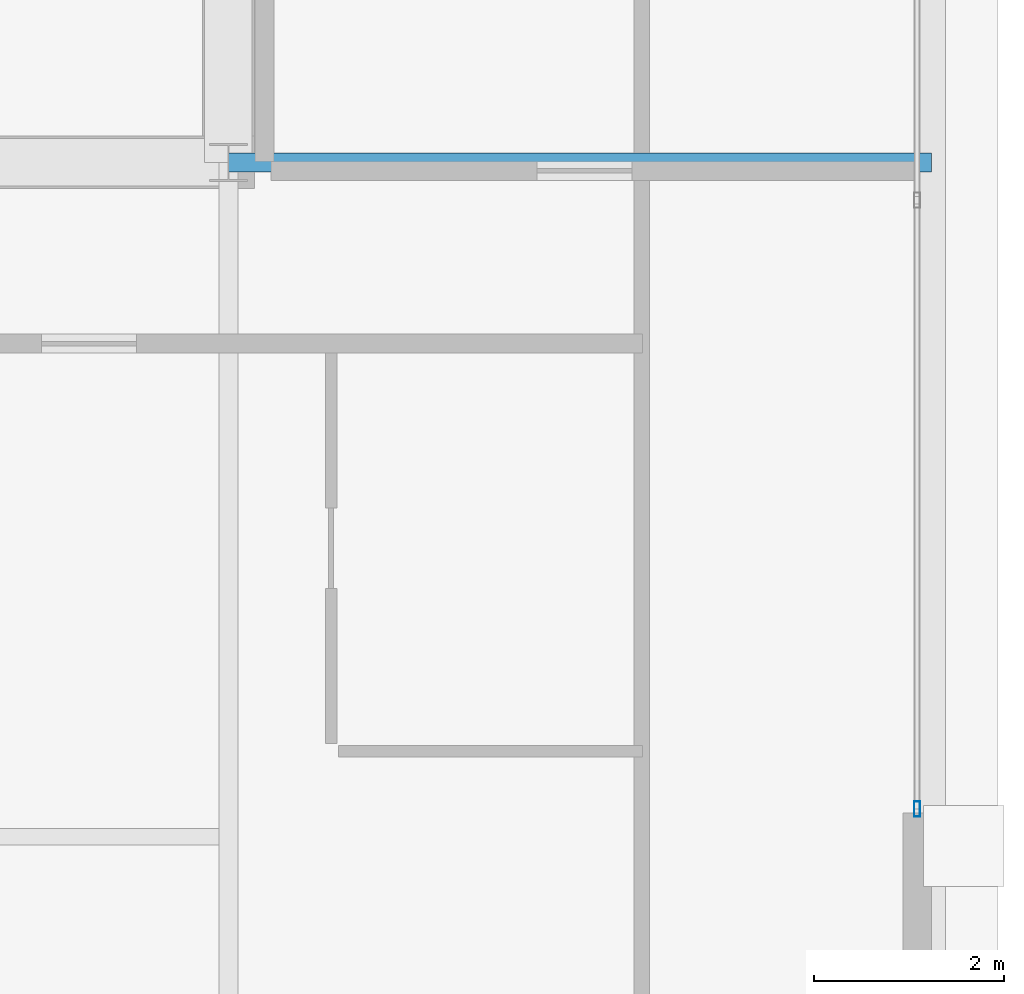
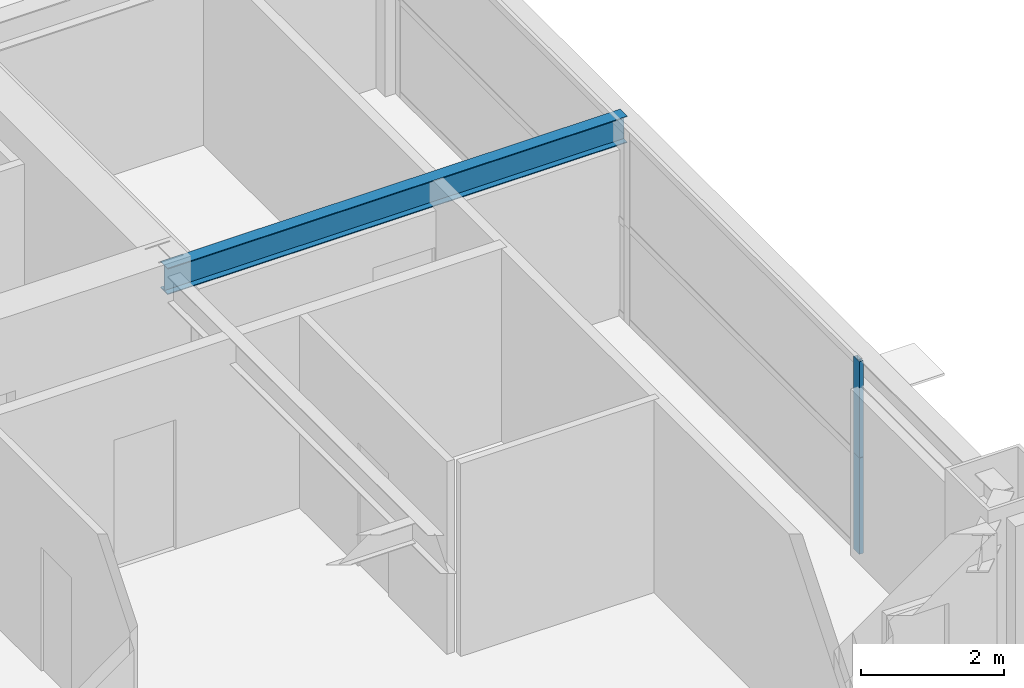
# One storey, part 17 of 36: 2 members, 1 beam, 1 element without a shape of its own.
"""IFC4 building model written with IfcOpenShell, lengths in metres."""

from ifc_helpers import new_model, si_unit, direction, frame, origin, origin_2d, place, context, subcontext, project, spatial, hollow_rectangle, i_section, extrude, source, transform, mapped, material, layer, layer_set, material_profile, profile_set, type_object, element, aggregate, save


model = new_model("IFC4")

# Units and contexts
model_context = context("Model", 3, precision=1e-05, world=origin(), true_north=direction((0.0, 1.0)))
body_context = subcontext(model_context, "Body", "Model", "MODEL_VIEW")
ifc_project = project(units=[si_unit("LENGTHUNIT", "METRE"), si_unit("AREAUNIT", "SQUARE_METRE"), si_unit("VOLUMEUNIT", "CUBIC_METRE"), si_unit("PLANEANGLEUNIT", "RADIAN"), si_unit("MASSUNIT", "GRAM", prefix="KILO"), si_unit("THERMODYNAMICTEMPERATUREUNIT", "KELVIN"), si_unit("POWERUNIT", "WATT")], contexts=[model_context])

# Site, building, storey
site_placement = place(None, origin())
site = spatial("IfcSite", under=ifc_project, at=site_placement, CompositionType="ELEMENT")
building_placement = place(site_placement, origin())
building = spatial("IfcBuilding", under=site, at=building_placement, Name="Yuzanri Waterfront Tower", CompositionType="ELEMENT")
storey_placement = place(building_placement, frame((0.0, 0.0, 238.10009765625)))
storey = spatial("IfcBuildingStorey", under=building, at=storey_placement, Name="L63", CompositionType="ELEMENT", Elevation=238.10009765625)

# Beam
ifc_material_1 = material(Name="Steel Q355B", Category="steel")
ifc_material_profile_1 = material_profile(ifc_material_1, i_section(OverallWidth=0.199951171875, OverallDepth=0.449951171875, WebThickness=0.009033203125, FlangeThickness=0.013916015625, at=origin_2d()), Name="HN 450x200x9x14")
ifc_profile_set_1 = profile_set([ifc_material_profile_1], Name="Steel Q355B")
beam_type = type_object("IfcBeamType", Name="Secondary Floor Beam Q355B HN 450x200", PredefinedType="BEAM", material=ifc_profile_set_1)
shared_shape_1 = source(origin(), body_context, "Body", "SweptSolid", [
    extrude(i_section(OverallWidth=0.199951171875, OverallDepth=0.449951171875, WebThickness=0.009033203125, FlangeThickness=0.013916015625, at=origin_2d()), origin(), (0.0, 0.0, 1.0), 7.400146484375),
])
beam_placement = place(storey_placement, frame((50.199951171875, 19.39990234375, 3.054931640625), z_axis=(1.0, 0.0, 0.0), x_axis=(0.0, 1.0, 0.0)))
element("IfcBeam", 1, at=beam_placement, inside=storey, type_object=beam_type, Name="L63 East-South Core Line Beam", PredefinedType="BEAM", context=body_context, shape_type="MappedRepresentation", body=[
    mapped(shared_shape_1, transform((0.0, 0.0, 0.0), scale=1.0)),
])

# Curtain wall, members
ifc_material_2 = material(Name="Anodized Architectural Bronze", Category="metal")
ifc_layer = layer(ifc_material_2, 0.159912109375)
ifc_layer_set = layer_set([ifc_layer], Name="Anodized Architectural Bronze")
curtain_wall_type = type_object("IfcCurtainWallType", Name="Anodized Bronze Mid-Rise Residential Acoustic Unitized Curtain Wall 7200", PredefinedType="NOTDEFINED", material=ifc_layer_set)
curtain_wall_placement = place(storey_placement, origin())
curtain_wall = element("IfcCurtainWall", 2, at=curtain_wall_placement, inside=storey, type_object=curtain_wall_type, Name="L63 Curtain Wall CW-L63-EL", PredefinedType="NOTDEFINED")
ifc_material_3 = material(Name="Anodized Architectural Bronze", Category="metal")
ifc_material_profile_2 = material_profile(ifc_material_3, hollow_rectangle(XDim=0.06494140625, YDim=0.159912109375, WallThickness=0.00341796875, at=origin_2d()), Name="CWM 65x160")
ifc_profile_set_2 = profile_set([ifc_material_profile_2], Name="Anodized Architectural Bronze")
member_type = type_object("IfcMemberType", Name="Anodized Bronze Upper-Zone Curtain-Wall Mullion 65x160", PredefinedType="MULLION", material=ifc_profile_set_2)
shared_shape_2 = source(origin(), body_context, "Body", "SweptSolid", [
    extrude(hollow_rectangle(XDim=0.06494140625, YDim=0.159912109375, WallThickness=0.00341796875, at=origin_2d()), origin(), (0.0, 0.0, 1.0), 1.637939453125),
])
member_1_placement = place(storey_placement, frame((57.449951171875, 12.590087890625, 0.0), z_axis=(0.0, 0.0, 1.0), x_axis=(1.0, 0.0, 0.0)))
member_1 = element("IfcMember", 3, at=member_1_placement, type_object=member_type, Name="CW-L63-EL Lower Mullion 00", PredefinedType="MULLION", context=body_context, shape_type="MappedRepresentation", body=[
    mapped(shared_shape_2, transform((0.0, 0.0, 0.0), scale=1.0)),
])
member_2_placement = place(storey_placement, frame((57.449951171875, 12.590087890625, 1.641845703125), z_axis=(0.0, 0.0, 1.0), x_axis=(1.0, 0.0, 0.0)))
member_2 = element("IfcMember", 4, at=member_2_placement, type_object=member_type, Name="CW-L63-EL Upper Mullion 00", PredefinedType="MULLION", context=body_context, shape_type="MappedRepresentation", body=[
    mapped(shared_shape_2, transform((0.0, 0.0, 0.0), scale=1.0)),
])
aggregate(curtain_wall, [member_1, member_2])

save(model, "model.ifc")
